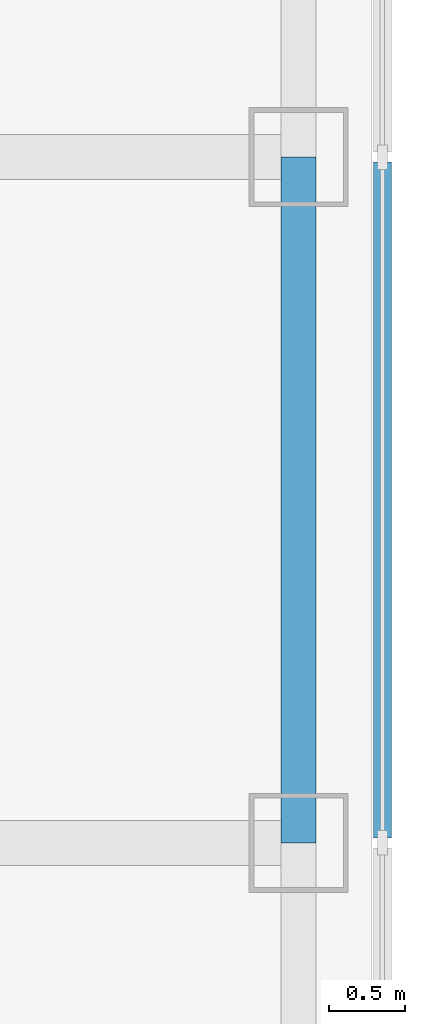
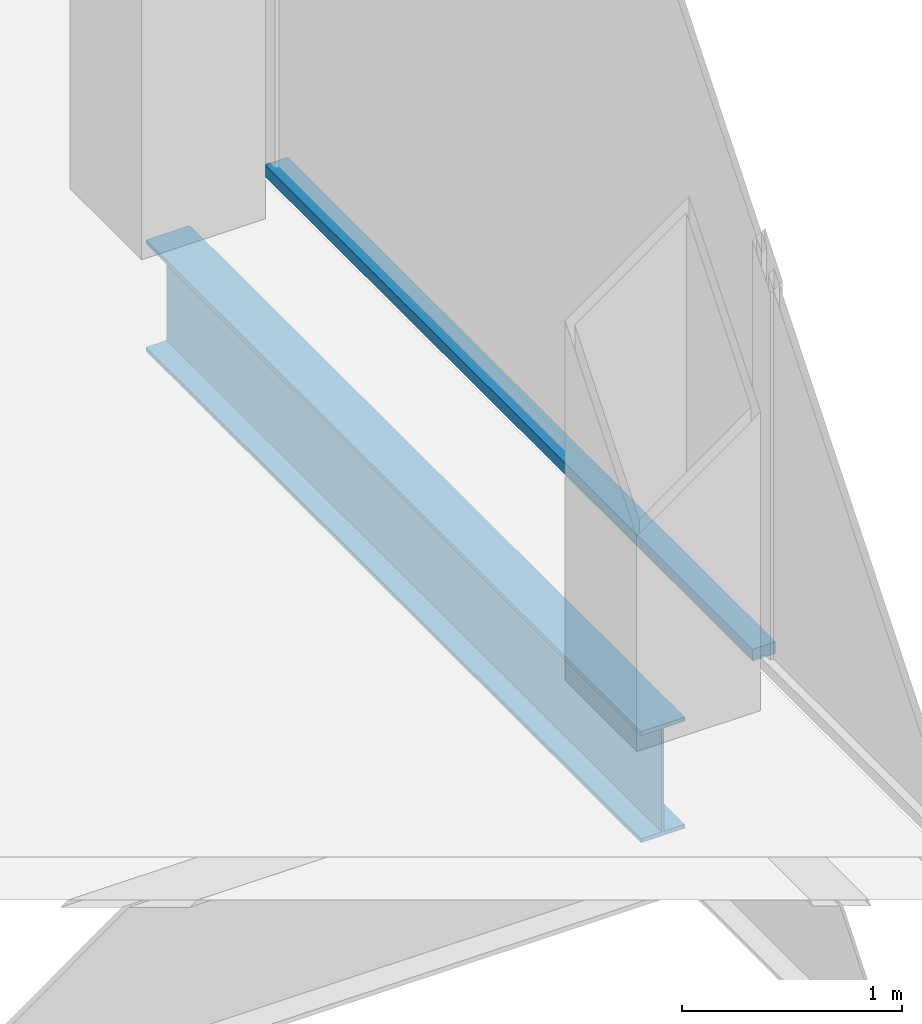
# One storey, part 5 of 14: 1 beam, 1 member, 1 element without a shape of its own.
"""IFC4 building model written with IfcOpenShell, lengths in metres."""

from ifc_helpers import new_model, si_unit, direction, frame, origin, origin_2d, place, context, subcontext, project, spatial, rectangle, i_section, extrude, material, material_profile, profile_set, type_object, element, aggregate, save


model = new_model("IFC4")

# Units and contexts
model_context = context("Model", 3, precision=1e-05, world=origin(), true_north=direction((0.0, 1.0)))
body_context = subcontext(model_context, "Body", "Model", "MODEL_VIEW")
ifc_project = project(units=[si_unit("LENGTHUNIT", "METRE"), si_unit("AREAUNIT", "SQUARE_METRE"), si_unit("VOLUMEUNIT", "CUBIC_METRE"), si_unit("PLANEANGLEUNIT", "RADIAN"), si_unit("MASSUNIT", "GRAM", prefix="KILO")], contexts=[model_context])

# Site, building, storey
site_placement = place(None, origin())
site = spatial("IfcSite", under=ifc_project, at=site_placement, CompositionType="ELEMENT")
building_placement = place(site_placement, origin())
building = spatial("IfcBuilding", under=site, at=building_placement, Name="Corais Broadcast Tower", CompositionType="ELEMENT")
storey_placement = place(building_placement, frame((0.0, 0.0, 230.60009765625)))
storey = spatial("IfcBuildingStorey", under=building, at=storey_placement, Name="L53", CompositionType="ELEMENT", Elevation=230.60009765625)

# Beam
ifc_material_1 = material(Name="Steel ASTM A572 Grade 50", Category="steel")
ifc_material_profile_1 = material_profile(ifc_material_1, i_section(OverallWidth=0.22998046875, OverallDepth=0.616943359375, WebThickness=0.01318359375, FlangeThickness=0.022216796875, at=origin_2d()), Name="W610x140")
ifc_profile_set_1 = profile_set([ifc_material_profile_1], Name="Steel ASTM A572 Grade 50")
beam_type = type_object("IfcBeamType", Name="Spandrel W610x140", PredefinedType="BEAM", material=ifc_profile_set_1)
beam_placement = place(storey_placement, frame((54.0, 27.0, -0.468505859375), z_axis=(0.0, 1.0, 0.0), x_axis=(-1.0, 0.0, 0.0)))
element("IfcBeam", 1, at=beam_placement, inside=storey, type_object=beam_type, Name="SB3 G/15 to H/15", PredefinedType="BEAM", context=body_context, shape_type="SweptSolid", body=[
    extrude(i_section(OverallWidth=0.22998046875, OverallDepth=0.616943359375, WebThickness=0.01318359375, FlangeThickness=0.022216796875, at=origin_2d()), origin(), (0.0, 0.0, 1.0), 4.5),
])

# Curtain wall, member
ifc_material_2 = material(Name="Aluminium and glass", Category="aluminium")
curtain_wall_type = type_object("IfcCurtainWallType", Name="Unitised fritted curtain wall CW3", PredefinedType="NOTDEFINED", material=ifc_material_2)
curtain_wall_placement = place(storey_placement, origin())
curtain_wall = element("IfcCurtainWall", 2, at=curtain_wall_placement, inside=storey, type_object=curtain_wall_type, Name="CW3 curtain wall L53 6", PredefinedType="NOTDEFINED")
ifc_material_3 = material(Name="Aluminium 6063-T6", Category="aluminium")
ifc_material_profile_2 = material_profile(ifc_material_3, rectangle(XDim=0.1201171875, YDim=0.06494140625, at=origin_2d()), Name="Transom CW3 65x120")
ifc_profile_set_2 = profile_set([ifc_material_profile_2], Name="Aluminium 6063-T6")
member_type = type_object("IfcMemberType", Name="Transom CW3 65x120", PredefinedType="USERDEFINED", material=ifc_profile_set_2)
member_placement = place(storey_placement, frame((54.550048828125, 31.467529296875, 0.032470703125), z_axis=(0.0, -1.0, 0.0), x_axis=(1.0, 0.0, 0.0)))
member = element("IfcMember", 3, at=member_placement, type_object=member_type, Name="CW3 transom 3.1", ObjectType="TRANSOM", PredefinedType="USERDEFINED", context=body_context, shape_type="SweptSolid", body=[
    extrude(rectangle(XDim=0.1201171875, YDim=0.06494140625, at=origin_2d()), origin(), (0.0, 0.0, 1.0), 4.43505859375),
])
aggregate(curtain_wall, [member])

save(model, "model.ifc")
